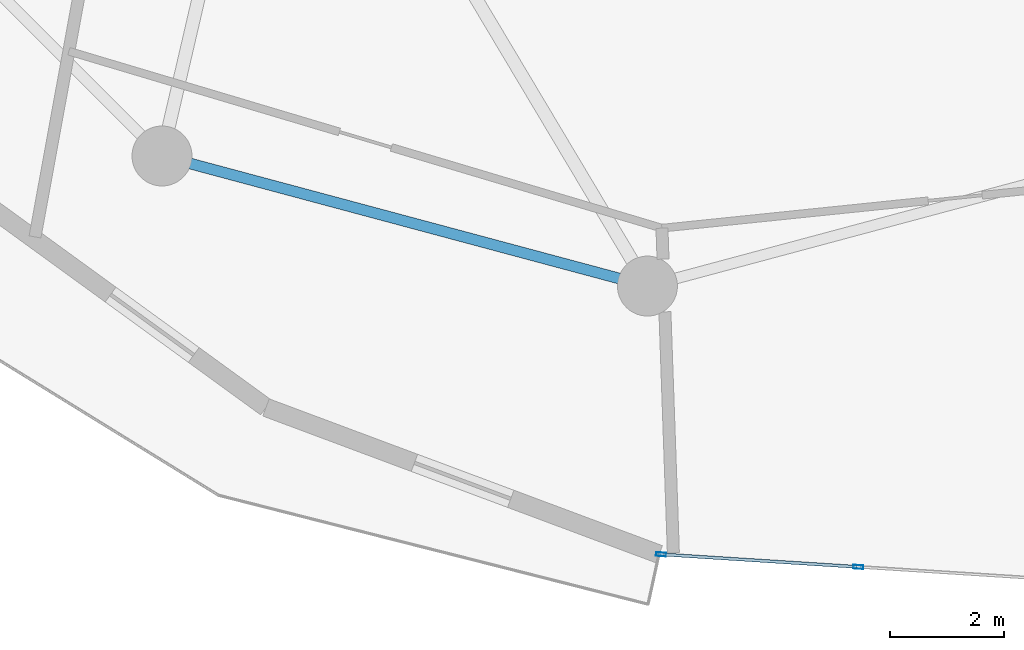
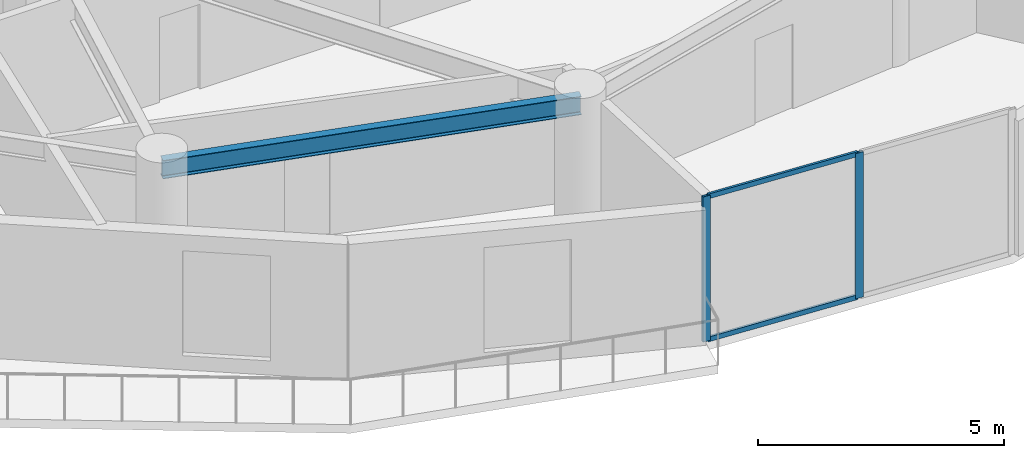
# One storey, part 2 of 21: 4 members, 1 beam, 1 element without a shape of its own.
"""IFC4 building model written with IfcOpenShell, lengths in metres."""

from ifc_helpers import new_model, si_unit, direction, frame, origin, origin_2d, place, context, subcontext, project, spatial, hollow_rectangle, i_section, extrude, source, transform, mapped, material, layer, layer_set, material_profile, profile_set, type_object, element, aggregate, save


model = new_model("IFC4")

# Units and contexts
model_context = context("Model", 3, precision=1e-05, world=origin(), true_north=direction((0.0, 1.0)))
body_context = subcontext(model_context, "Body", "Model", "MODEL_VIEW")
ifc_project = project(units=[si_unit("LENGTHUNIT", "METRE"), si_unit("AREAUNIT", "SQUARE_METRE"), si_unit("VOLUMEUNIT", "CUBIC_METRE"), si_unit("PLANEANGLEUNIT", "RADIAN"), si_unit("MASSUNIT", "GRAM", prefix="KILO")], contexts=[model_context])

# Site, building, storey
site_placement = place(None, origin())
site = spatial("IfcSite", under=ifc_project, at=site_placement, CompositionType="ELEMENT")
building_placement = place(site_placement, origin())
building = spatial("IfcBuilding", under=site, at=building_placement, Name="Solvirekh Grand Hotel", CompositionType="ELEMENT")
storey_placement = place(building_placement, frame((0.0, 0.0, 142.199951171875)))
storey = spatial("IfcBuildingStorey", under=building, at=storey_placement, Name="L36", CompositionType="ELEMENT", Elevation=142.199951171875)

# Beam
ifc_material_1 = material(Name="Steel S355", Category="steel")
ifc_material_profile_1 = material_profile(ifc_material_1, i_section(OverallWidth=0.18994140625, OverallDepth=0.45703125, WebThickness=0.009033203125, FlangeThickness=0.013916015625, FilletRadius=0.012939453125, at=origin_2d()), Name="W460X74")
ifc_profile_set_1 = profile_set([ifc_material_profile_1], Name="Steel S355")
beam_type = type_object("IfcBeamType", Name="Spandrel_Ring_W460", PredefinedType="SPANDREL", material=ifc_profile_set_1)
beam_placement = place(storey_placement, frame((-8.5, -14.721923828125, 3.1220703125), z_axis=(0.965911391906, -0.258872908946, 0.0), x_axis=(0.258872908946, 0.965911391906, 0.0)))
element("IfcBeam", 1, at=beam_placement, inside=storey, type_object=beam_type, Name="L36 perimeter spandrel beam 9", PredefinedType="SPANDREL", context=body_context, shape_type="SweptSolid", body=[
    extrude(i_section(OverallWidth=0.18994140625, OverallDepth=0.45703125, WebThickness=0.009033203125, FlangeThickness=0.013916015625, FilletRadius=0.012939453125, at=origin_2d()), origin(), (0.0, 0.0, 1.0), 8.800048828125),
])

# Curtain wall, members
ifc_material_2 = material(Name="Anodized Bronze Aluminium 6063-T6", Category="aluminium")
ifc_layer = layer(ifc_material_2, 0.175048828125)
ifc_layer_set = layer_set([ifc_layer], Name="Anodized Bronze Aluminium 6063-T6")
curtain_wall_type = type_object("IfcCurtainWallType", Name="CW_Sys3_MidZoneFlushBronzeCW", PredefinedType="NOTDEFINED", material=ifc_layer_set)
curtain_wall_placement = place(storey_placement, origin())
curtain_wall = element("IfcCurtainWall", 2, at=curtain_wall_placement, inside=storey, type_object=curtain_wall_type, Name="L36 unitised bronze-glass curtain wall CW-L36-C18", PredefinedType="NOTDEFINED")
ifc_material_profile_2 = material_profile(ifc_material_2, hollow_rectangle(XDim=0.054931640625, YDim=0.1201171875, WallThickness=0.00390625, at=origin_2d()), Name="ALU RHS 120X55X4")
ifc_profile_set_2 = profile_set([ifc_material_profile_2], Name="Anodized Bronze Aluminium 6063-T6")
member_type_1 = type_object("IfcMemberType", Name="CWTransom_Sys3", PredefinedType="USERDEFINED", material=ifc_profile_set_2)
shared_shape_1 = source(origin(), body_context, "Body", "SweptSolid", [
    extrude(hollow_rectangle(XDim=0.054931640625, YDim=0.1201171875, WallThickness=0.00390625, at=origin_2d()), origin(), (0.0, 0.0, 1.0), 3.397216796875),
])
member_1_placement = place(storey_placement, frame((0.269775390625, -21.69921875, 0.027587890625), z_axis=(0.997961786346, -0.063814363525, 0.0), x_axis=(0.063814363525, 0.997961786346, 0.0)))
member_1 = element("IfcMember", 3, at=member_1_placement, type_object=member_type_1, Name="U03 transom 1.1", ObjectType="TRANSOM", PredefinedType="USERDEFINED", context=body_context, shape_type="MappedRepresentation", body=[
    mapped(shared_shape_1, transform((0.0, 0.0, 0.0), x_axis=(1.0, 0.0, 0.0), y_axis=(0.0, 1.0, 0.0), z_axis=(0.0, 0.0, 1.0), scale=1.0)),
])
member_2_placement = place(storey_placement, frame((0.269775390625, -21.69921875, 3.572509765625), z_axis=(0.997961786346, -0.063814363525, 0.0), x_axis=(0.063814363525, 0.997961786346, 0.0)))
member_2 = element("IfcMember", 4, at=member_2_placement, type_object=member_type_1, Name="U03 transom 1.2", ObjectType="TRANSOM", PredefinedType="USERDEFINED", context=body_context, shape_type="MappedRepresentation", body=[
    mapped(shared_shape_1, transform((0.0, 0.0, 0.0), x_axis=(1.0, 0.0, 0.0), y_axis=(0.0, 1.0, 0.0), z_axis=(0.0, 0.0, 1.0), scale=1.0)),
])
ifc_material_profile_3 = material_profile(ifc_material_2, hollow_rectangle(XDim=0.06494140625, YDim=0.175048828125, WallThickness=0.0048828125, at=origin_2d()), Name="ALU RHS 175X65X5")
ifc_profile_set_3 = profile_set([ifc_material_profile_3], Name="Anodized Bronze Aluminium 6063-T6")
member_type_2 = type_object("IfcMemberType", Name="CWMullion_Sys3", PredefinedType="MULLION", material=ifc_profile_set_3)
shared_shape_2 = source(origin(), body_context, "Body", "SweptSolid", [
    extrude(hollow_rectangle(XDim=0.06494140625, YDim=0.175048828125, WallThickness=0.0048828125, at=origin_2d()), origin(), (0.0, 0.0, 1.0), 3.60009765625),
])
member_3_placement = place(storey_placement, frame((0.237548828125, -21.697021484375, 0.0), z_axis=(0.0, 0.0, 1.0), x_axis=(0.063812331854, 0.997961916259, 0.0)))
member_3 = element("IfcMember", 5, at=member_3_placement, type_object=member_type_2, Name="U03 mullion 1", PredefinedType="MULLION", context=body_context, shape_type="MappedRepresentation", body=[
    mapped(shared_shape_2, transform((0.0, 0.0, 0.0), x_axis=(1.0, 0.0, 0.0), y_axis=(0.0, 1.0, 0.0), z_axis=(0.0, 0.0, 1.0), scale=1.0)),
])
member_4_placement = place(storey_placement, frame((3.6923828125, -21.91796875, 0.0), z_axis=(0.0, 0.0, 1.0), x_axis=(0.063812331854, 0.997961916259, 0.0)))
member_4 = element("IfcMember", 6, at=member_4_placement, type_object=member_type_2, Name="U03 mullion 2", PredefinedType="MULLION", context=body_context, shape_type="MappedRepresentation", body=[
    mapped(shared_shape_2, transform((0.0, 0.0, 0.0), x_axis=(1.0, 0.0, 0.0), y_axis=(0.0, 1.0, 0.0), z_axis=(0.0, 0.0, 1.0), scale=1.0)),
])
aggregate(curtain_wall, [member_3, member_4, member_1, member_2])

save(model, "model.ifc")
